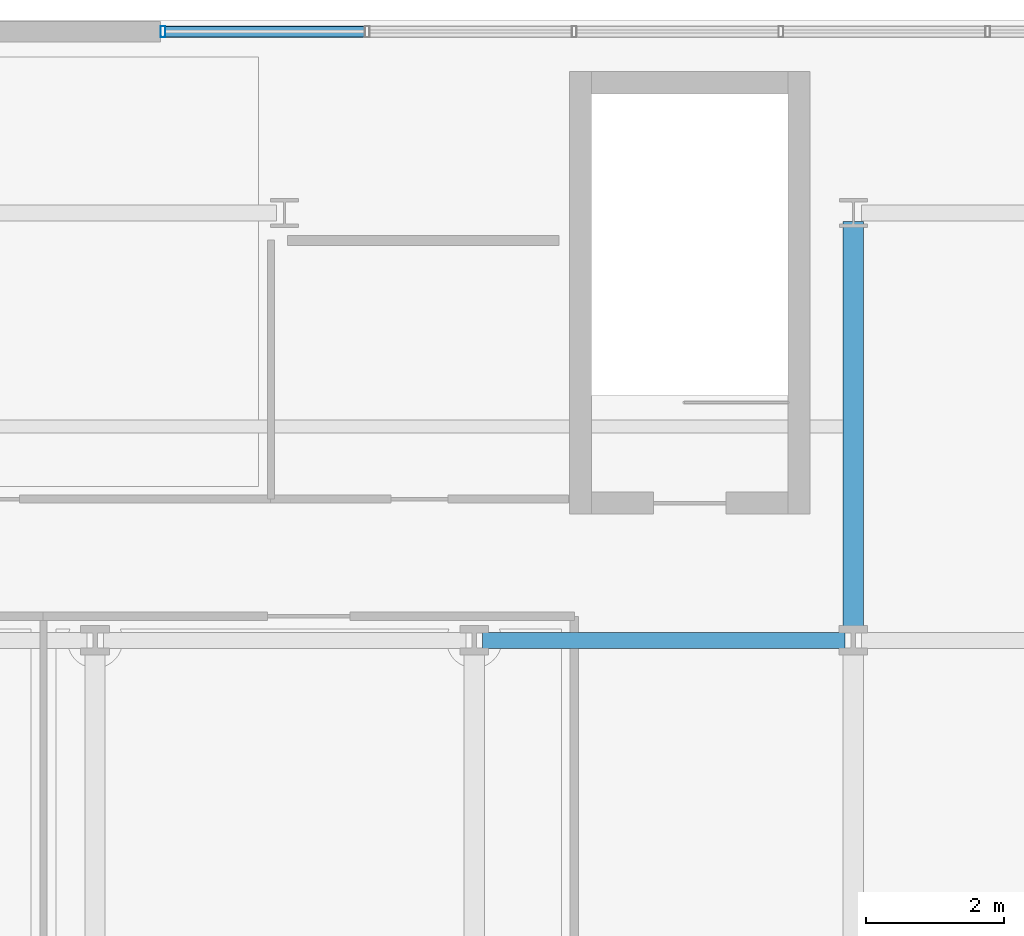
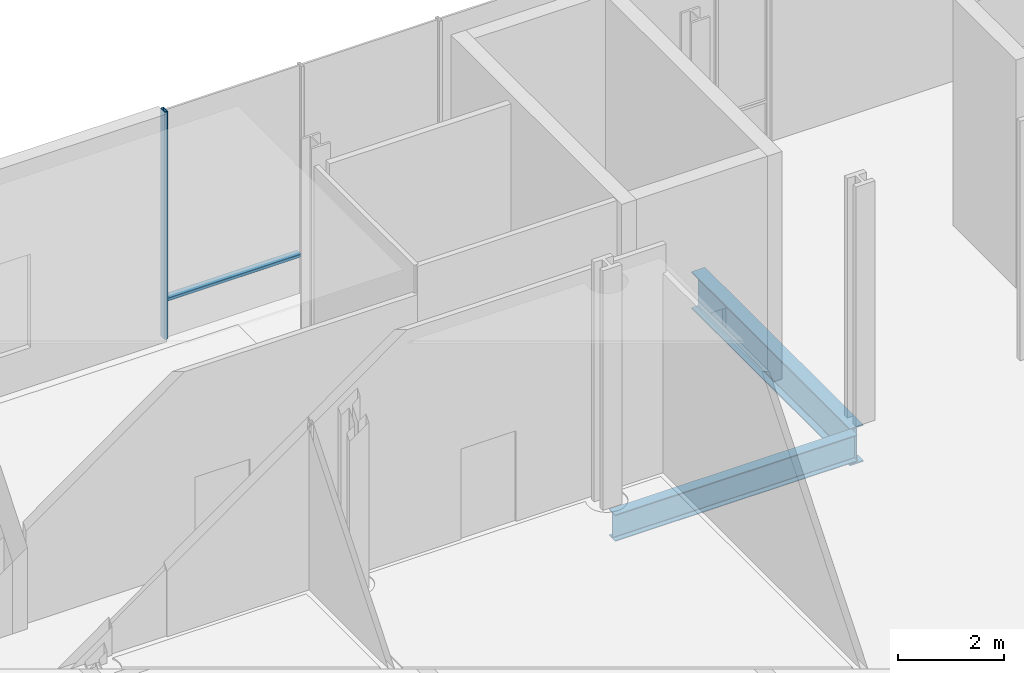
# One storey, part 5 of 17: 2 beams, 2 members, 1 element without a shape of its own.
"""IFC4 building model written with IfcOpenShell, lengths in metres."""

import ifcopenshell
import ifcopenshell.guid

model = None  # the IFC model being written
_history = None  # IfcOwnerHistory: only IFC2X3 demands one
_inside = {}  # id of a spatial element -> (the spatial element, [elements in it])
_under = {}  # id of a project, library or spatial element -> (it, [spatial elements below it])
_declared = {}  # id of a project -> (the project, [libraries it declares])
_typed = {}  # id of a type object -> (the type object, [elements of that type])
_made_of = {}  # id of a material, layer set ... -> (it, [elements and type objects made of it])


def new_model(schema):
    """Start an empty IFC model of exactly this schema.

    Asked for "IFC4X3", IfcOpenShell would pick the latest addendum, in which some entities
    have other attributes; the version numbers below select the first issue.
    IFC2X3 requires an IfcOwnerHistory on every rooted entity: one is made here for all.
    """
    global model, _history
    if schema == "IFC4X3":
        model = ifcopenshell.file(schema_version=(4, 3, 0, 0))
    else:
        model = ifcopenshell.file(schema=schema)
    _inside.clear()
    _under.clear()
    _declared.clear()
    _typed.clear()
    _made_of.clear()
    _history = None
    if model.schema == "IFC2X3":
        org = make("IfcOrganization", Name="unknown")
        user = make(
            "IfcPersonAndOrganization",
            ThePerson=make("IfcPerson", FamilyName="unknown"),
            TheOrganization=org,
        )
        app = make(
            "IfcApplication",
            ApplicationDeveloper=org,
            Version="unknown",
            ApplicationFullName="unknown",
            ApplicationIdentifier="unknown",
        )
        _history = make(
            "IfcOwnerHistory",
            OwningUser=user,
            OwningApplication=app,
            ChangeAction="ADDED",
            CreationDate=0,
        )
    return model


def make(cls, **values):
    """One entity of the class cls with the attributes given. An attribute that is None is left unset."""
    return model.create_entity(
        cls, **{name: value for name, value in values.items() if value is not None}
    )


def rooted(cls, **values):
    """An entity with a GlobalId (a new one), such as an element, a storey or a relation."""
    return make(cls, GlobalId=ifcopenshell.guid.new(), OwnerHistory=_history, **values)


def si_unit(unit_type, name, prefix=None):
    """IfcSIUnit, for example si_unit("LENGTHUNIT", "METRE", prefix="MILLI")."""
    return make("IfcSIUnit", UnitType=unit_type, Prefix=prefix, Name=name)


def assignment(units):
    """IfcUnitAssignment: the units of a project."""
    return None if units is None else make("IfcUnitAssignment", Units=units)


def point(xyz):
    """IfcCartesianPoint."""
    return None if xyz is None else make("IfcCartesianPoint", Coordinates=xyz)


def direction(xyz):
    """IfcDirection."""
    return None if xyz is None else make("IfcDirection", DirectionRatios=xyz)


def frame(location, z_axis=None, x_axis=None):
    """IfcAxis2Placement3D, a coordinate frame: its origin and axes. An axis left out is left unset."""
    return make(
        "IfcAxis2Placement3D",
        Location=point(location),
        Axis=direction(z_axis),
        RefDirection=direction(x_axis),
    )


def frame_2d(location, x_axis=None):
    """IfcAxis2Placement2D, a coordinate frame in the plane: its origin and x axis."""
    return make(
        "IfcAxis2Placement2D", Location=point(location), RefDirection=direction(x_axis)
    )


def origin():
    """The frame at (0, 0, 0) with its axes left unset."""
    return frame((0.0, 0.0, 0.0))


def origin_2d():
    """The frame at (0, 0) in the plane with its x axis left unset."""
    return frame_2d((0.0, 0.0))


def place(relative_to, where):
    """IfcLocalPlacement: puts the frame where relative to a parent placement (None: the world)."""
    return make(
        "IfcLocalPlacement", PlacementRelTo=relative_to, RelativePlacement=where
    )


def context(
    kind, dimensions, precision=None, world=None, true_north=None, identifier=None
):
    """IfcGeometricRepresentationContext, for example the 3D "Model" context."""
    return make(
        "IfcGeometricRepresentationContext",
        ContextIdentifier=identifier,
        ContextType=kind,
        CoordinateSpaceDimension=dimensions,
        Precision=precision,
        WorldCoordinateSystem=world,
        TrueNorth=true_north,
    )


def subcontext(parent, identifier, kind, view, scale=None):
    """IfcGeometricRepresentationSubContext, for example "Body" below "Model"."""
    return make(
        "IfcGeometricRepresentationSubContext",
        ContextIdentifier=identifier,
        ContextType=kind,
        ParentContext=parent,
        TargetScale=scale,
        TargetView=view,
    )


def project(units=None, contexts=None):
    """IfcProject with its units and contexts."""
    return rooted(
        "IfcProject",
        Name="project",
        RepresentationContexts=contexts,
        UnitsInContext=assignment(units),
    )


def spatial(cls, under=None, at=None, **own):
    """A site, building, storey or space (cls), placed at a placement, below another one or the project."""
    s = rooted(cls, ObjectPlacement=at, **own)
    if under is not None:
        _under.setdefault(under.id(), (under, []))[1].append(s)
    return s


def profile(cls, at=None, kind="AREA", **sizes):
    """A parametric profile (cls). Its sizes go by their IFC names, for example OverallWidth=200.0."""
    return make(cls, ProfileType=kind, Position=at, **sizes)


def hollow_rectangle(**sizes):
    """IfcRectangleHollowProfileDef."""
    return profile("IfcRectangleHollowProfileDef", **sizes)


def i_section(**sizes):
    """IfcIShapeProfileDef."""
    return profile("IfcIShapeProfileDef", **sizes)


def extrude(swept, where, along, depth):
    """IfcExtrudedAreaSolid: the profile swept, set in the frame where, extruded along a direction by depth."""
    return make(
        "IfcExtrudedAreaSolid",
        SweptArea=swept,
        Position=where,
        ExtrudedDirection=direction(along),
        Depth=depth,
    )


def shape(context_of_items, identifier, shape_type, items):
    """IfcShapeRepresentation: the items that make up one representation, for example the "Body"."""
    return make(
        "IfcShapeRepresentation",
        ContextOfItems=context_of_items,
        RepresentationIdentifier=identifier,
        RepresentationType=shape_type,
        Items=items,
    )


def material(Name=None, Category=None):
    """IfcMaterial."""
    return make("IfcMaterial", Name=Name, Category=Category)


def layer(
    of_material, thickness, ventilated=None, Name=None, Category=None, Priority=None
):
    """IfcMaterialLayer: one layer of a wall or slab, of a material (None: an air gap)."""
    return make(
        "IfcMaterialLayer",
        Material=of_material,
        LayerThickness=thickness,
        IsVentilated=ventilated,
        Name=Name,
        Category=Category,
        Priority=Priority,
    )


def layer_set(layers, Name=None):
    """IfcMaterialLayerSet."""
    return make("IfcMaterialLayerSet", MaterialLayers=layers, LayerSetName=Name)


def material_profile(
    of_material, cross_section, Name=None, Category=None, Priority=None
):
    """IfcMaterialProfile: a cross section and its material."""
    return make(
        "IfcMaterialProfile",
        Name=Name,
        Material=of_material,
        Profile=cross_section,
        Priority=Priority,
        Category=Category,
    )


def profile_set(profiles, Name=None, composite=None):
    """IfcMaterialProfileSet."""
    return make(
        "IfcMaterialProfileSet",
        Name=Name,
        MaterialProfiles=profiles,
        CompositeProfile=composite,
    )


def made_of(thing, what):
    """Note that an element or type object is made of a material, layer set ...; save() writes the relation."""
    if what is not None:
        _made_of.setdefault(what.id(), (what, []))[1].append(thing)
    return thing


def type_object(cls, material=None, **own):
    """A type object (cls), such as IfcWallType, which elements share."""
    return made_of(rooted(cls, **own), material)


def element(
    cls,
    number,
    at=None,
    inside=None,
    cuts=None,
    type_object=None,
    material=None,
    context=None,
    identifier="Body",
    shape_type=None,
    held_by="IfcProductDefinitionShape",
    body=None,
    shapes=None,
    **own,
):
    """One element of the class cls, such as IfcWall. Its Tag is "e" and its number.

    at: its placement. inside: the storey or other place that contains it. cuts: it is an
    opening in that element (IfcRelVoidsElement). A single representation is given by context,
    identifier, shape_type and body (its items); several are given by shapes. held_by: the class
    of the entity that holds the representations. save() writes the other relations.
    """
    e = rooted(cls, Tag="e%d" % number, ObjectPlacement=at, **own)
    if body is not None:
        shapes = [shape(context, identifier, shape_type, body)]
    if shapes is not None:
        e.Representation = make(held_by, Representations=shapes)
    if inside is not None:
        _inside.setdefault(inside.id(), (inside, []))[1].append(e)
    if cuts is not None:
        rooted(
            "IfcRelVoidsElement", RelatingBuildingElement=cuts, RelatedOpeningElement=e
        )
    if type_object is not None:
        _typed.setdefault(type_object.id(), (type_object, []))[1].append(e)
    return made_of(e, material)


def aggregate(whole, parts):
    """IfcRelAggregates: a whole, such as a stair, and the parts it consists of."""
    return rooted("IfcRelAggregates", RelatingObject=whole, RelatedObjects=parts)


def save(model, path):
    """Write the relations noted so far, then the file.

    IfcRelAggregates (storeys below a building ...), IfcRelContainedInSpatialStructure (elements
    in a storey), IfcRelDefinesByType, IfcRelAssociatesMaterial and IfcRelDeclares: one each for
    every whole, place, type object, material and project.
    """
    for whole, parts in _under.values():
        aggregate(whole, parts)
    for where, things in _inside.values():
        rooted(
            "IfcRelContainedInSpatialStructure",
            RelatedElements=things,
            RelatingStructure=where,
        )
    for kind, things in _typed.values():
        rooted("IfcRelDefinesByType", RelatedObjects=things, RelatingType=kind)
    for what, things in _made_of.values():
        rooted("IfcRelAssociatesMaterial", RelatedObjects=things, RelatingMaterial=what)
    for by, libraries in _declared.values():
        rooted("IfcRelDeclares", RelatingContext=by, RelatedDefinitions=libraries)
    model.write(path)


model = new_model("IFC4")

# Units and contexts
model_context = context("Model", 3, precision=1e-05, world=origin(), true_north=direction((0.0, 1.0)))
body_context = subcontext(model_context, "Body", "Model", "MODEL_VIEW")
ifc_project = project(units=[si_unit("LENGTHUNIT", "METRE"), si_unit("AREAUNIT", "SQUARE_METRE"), si_unit("VOLUMEUNIT", "CUBIC_METRE"), si_unit("PLANEANGLEUNIT", "RADIAN"), si_unit("MASSUNIT", "GRAM", prefix="KILO")], contexts=[model_context])

# Site, building, storey
site_placement = place(None, origin())
site = spatial("IfcSite", under=ifc_project, at=site_placement, CompositionType="ELEMENT")
building_placement = place(site_placement, origin())
building = spatial("IfcBuilding", under=site, at=building_placement, Name="Brevholm Reach", CompositionType="ELEMENT")
storey_placement = place(building_placement, frame((0.0, 0.0, 22.5)))
storey = spatial("IfcBuildingStorey", under=building, at=storey_placement, Name="L05", CompositionType="ELEMENT", Elevation=22.5)

# Beams
ifc_material_1 = material(Name="Structural Steel S355J2", Category="steel")
ifc_material_profile_1 = material_profile(ifc_material_1, i_section(OverallWidth=0.22900390625, OverallDepth=0.6123046875, WebThickness=0.011962890625, FlangeThickness=0.01953125, FilletRadius=0.0126953125, at=origin_2d()), Name="UKB 610x229x125")
ifc_profile_set_1 = profile_set([ifc_material_profile_1], Name="Structural Steel S355J2")
beam_type_1 = type_object("IfcBeamType", Name="BM-SP610", PredefinedType="SPANDREL", material=ifc_profile_set_1)
beam_1_placement = place(storey_placement, frame((32.8701171875, 31.0, -0.586181640625), z_axis=(1.0, 0.0, 0.0), x_axis=(0.0, 1.0, 0.0)))
element("IfcBeam", 1, at=beam_1_placement, inside=storey, type_object=beam_type_1, Name="L05 SP-01 Framing Beam", PredefinedType="SPANDREL", context=body_context, shape_type="SweptSolid", body=[
    extrude(i_section(OverallWidth=0.22900390625, OverallDepth=0.6123046875, WebThickness=0.011962890625, FlangeThickness=0.01953125, FilletRadius=0.0126953125, at=origin_2d()), origin(), (0.0, 0.0, 1.0), 5.259765625),
])
ifc_material_2 = material(Name="Structural Steel S355J2", Category="steel")
ifc_material_profile_2 = material_profile(ifc_material_2, i_section(OverallWidth=0.293701171875, OverallDepth=0.850830078125, WebThickness=0.01611328125, FlangeThickness=0.02685546875, FilletRadius=0.017822265625, at=origin_2d()), Name="UKB 838x292x226")
ifc_profile_set_2 = profile_set([ifc_material_profile_2], Name="Structural Steel S355J2")
beam_type_2 = type_object("IfcBeamType", Name="BM-UKB838", PredefinedType="USERDEFINED", material=ifc_profile_set_2)
beam_2_placement = place(storey_placement, frame((38.25, 31.1201171875, -0.70556640625), z_axis=(0.0, 1.0, 0.0), x_axis=(-1.0, 0.0, 0.0)))
element("IfcBeam", 2, at=beam_2_placement, inside=storey, type_object=beam_type_2, Name="L05 G-03 Framing Beam", ObjectType="GIRDER", PredefinedType="USERDEFINED", context=body_context, shape_type="SweptSolid", body=[
    extrude(i_section(OverallWidth=0.293701171875, OverallDepth=0.850830078125, WebThickness=0.01611328125, FlangeThickness=0.02685546875, FilletRadius=0.017822265625, at=origin_2d()), origin(), (0.0, 0.0, 1.0), 5.9599609375),
])

# Curtain wall, members
ifc_material_3 = material(Name="Dark Anodised Aluminium 6063-T6 and Solar-Control Glass", Category="aluminium")
ifc_layer = layer(ifc_material_3, 0.1650390625)
ifc_layer_set = layer_set([ifc_layer], Name="Dark Anodised Aluminium 6063-T6 and Solar-Control Glass")
curtain_wall_type = type_object("IfcCurtainWallType", Name="CW-03", PredefinedType="NOTDEFINED", material=ifc_layer_set)
curtain_wall_placement = place(storey_placement, origin())
curtain_wall = element("IfcCurtainWall", 3, at=curtain_wall_placement, inside=storey, type_object=curtain_wall_type, Name="L05 Curtain Wall CW-03", PredefinedType="NOTDEFINED")
ifc_material_4 = material(Name="Dark Anodised Aluminium 6063-T6", Category="aluminium")
ifc_material_profile_3 = material_profile(ifc_material_4, hollow_rectangle(XDim=0.070068359375, YDim=0.1650390625, WallThickness=0.0048828125, InnerFilletRadius=0.0048828125, OuterFilletRadius=0.010009765625, at=origin_2d()), Name="RHS 165x70x5")
ifc_profile_set_3 = profile_set([ifc_material_profile_3], Name="Dark Anodised Aluminium 6063-T6")
member_type_1 = type_object("IfcMemberType", Name="CWM-165", PredefinedType="MULLION", material=ifc_profile_set_3)
member_1_placement = place(storey_placement, frame((28.235107421875, 39.830078125, 0.0), z_axis=(0.0, 0.0, 1.0), x_axis=(1.0, 0.0, 0.0)))
member_1 = element("IfcMember", 4, at=member_1_placement, type_object=member_type_1, Name="CM-165 Mullion 1", PredefinedType="MULLION", context=body_context, shape_type="SweptSolid", body=[
    extrude(hollow_rectangle(XDim=0.070068359375, YDim=0.1650390625, WallThickness=0.0048828125, InnerFilletRadius=0.0048828125, OuterFilletRadius=0.010009765625, at=origin_2d()), origin(), (0.0, 0.0, 1.0), 5.22998046875),
])
ifc_material_5 = material(Name="Dark Anodised Aluminium 6063-T6", Category="aluminium")
ifc_material_profile_4 = material_profile(ifc_material_5, hollow_rectangle(XDim=0.070068359375, YDim=0.1650390625, WallThickness=0.0048828125, InnerFilletRadius=0.0048828125, OuterFilletRadius=0.010009765625, at=origin_2d()), Name="RHS 165x70x5")
ifc_profile_set_4 = profile_set([ifc_material_profile_4], Name="Dark Anodised Aluminium 6063-T6")
member_type_2 = type_object("IfcMemberType", Name="CWT-165", PredefinedType="NOTDEFINED", material=ifc_profile_set_4)
member_2_placement = place(storey_placement, frame((28.27001953125, 39.830078125, 0.89990234375), z_axis=(1.0, 0.0, 0.0), x_axis=(0.0, 0.0, 1.0)))
member_2 = element("IfcMember", 5, at=member_2_placement, type_object=member_type_2, Name="CT-165 Transom 1.1", ObjectType="TRANSOM", PredefinedType="USERDEFINED", context=body_context, shape_type="SweptSolid", body=[
    extrude(hollow_rectangle(XDim=0.070068359375, YDim=0.1650390625, WallThickness=0.0048828125, InnerFilletRadius=0.0048828125, OuterFilletRadius=0.010009765625, at=origin_2d()), origin(), (0.0, 0.0, 1.0), 2.89501953125),
])
aggregate(curtain_wall, [member_1, member_2])

save(model, "model.ifc")
